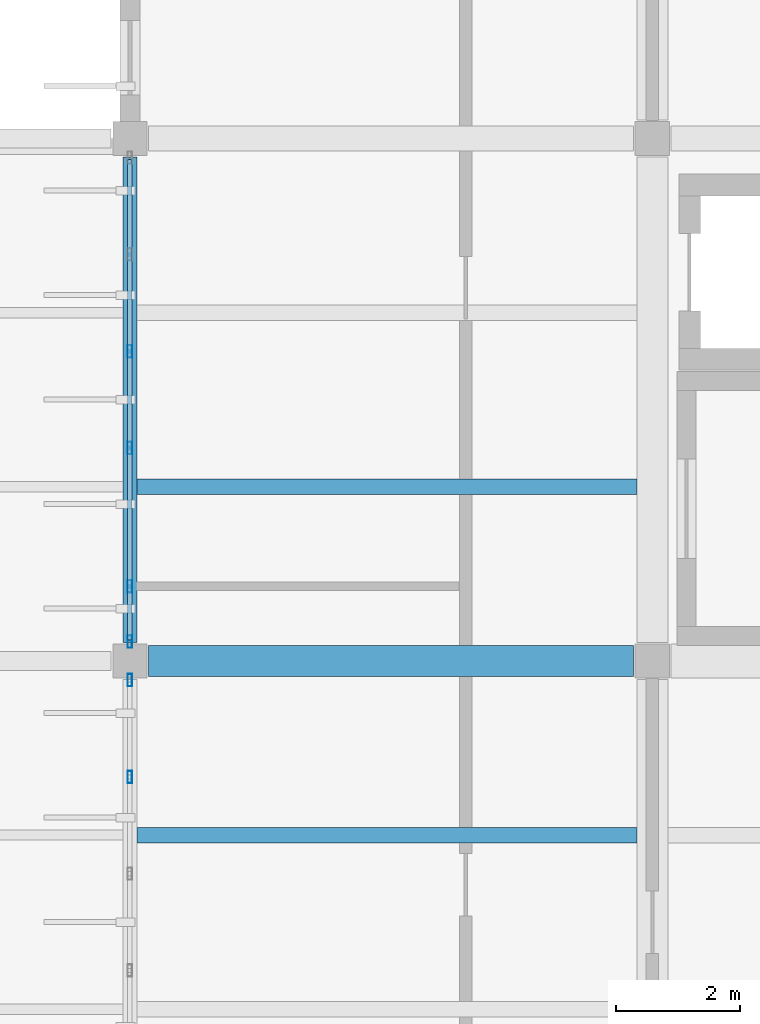
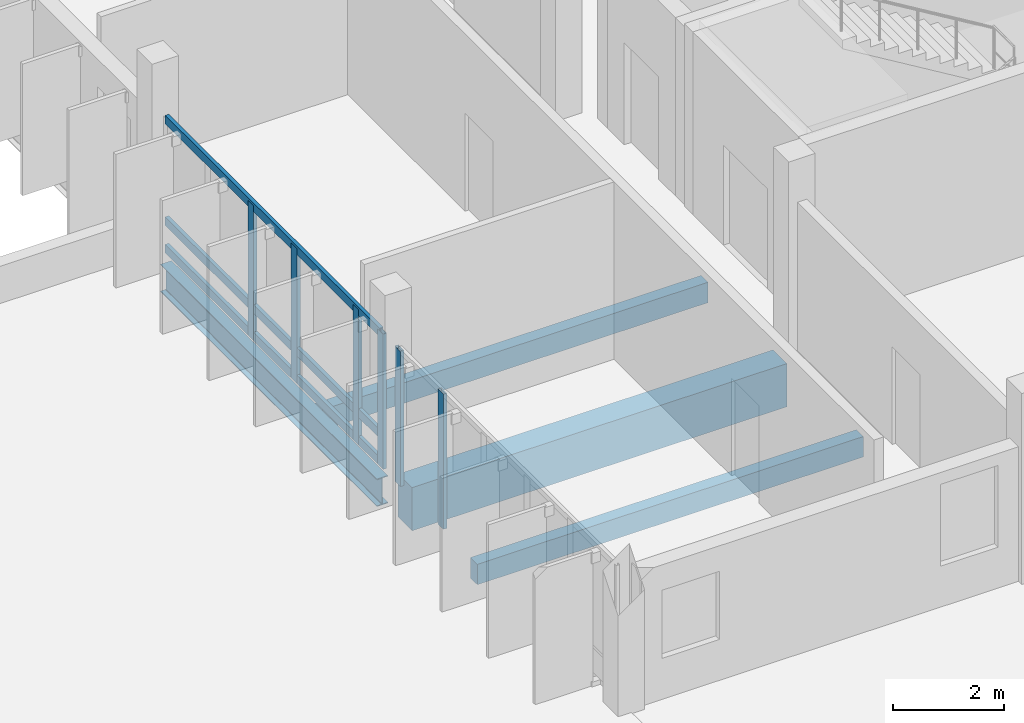
# One storey, part 20 of 130: 9 members, 4 beams, 2 elements without a shape of their own.
"""IFC4 building model written with IfcOpenShell, lengths in metres."""

from ifc_helpers import new_model, si_unit, direction, frame, origin, origin_2d, place, context, subcontext, project, spatial, rectangle, hollow_rectangle, i_section, extrude, material, layer, layer_set, material_profile, profile_set, type_object, element, aggregate, save


model = new_model("IFC4")

# Units and contexts
model_context = context("Model", 3, precision=1e-05, world=origin(), true_north=direction((0.0, 1.0)))
body_context = subcontext(model_context, "Body", "Model", "MODEL_VIEW")
ifc_project = project(units=[si_unit("LENGTHUNIT", "METRE"), si_unit("AREAUNIT", "SQUARE_METRE"), si_unit("VOLUMEUNIT", "CUBIC_METRE"), si_unit("PLANEANGLEUNIT", "RADIAN"), si_unit("MASSUNIT", "GRAM", prefix="KILO")], contexts=[model_context])

# Site, building, storey
site_placement = place(None, origin())
site = spatial("IfcSite", under=ifc_project, at=site_placement, CompositionType="ELEMENT")
building_placement = place(site_placement, origin())
building = spatial("IfcBuilding", under=site, at=building_placement, Name="Vireocrest Preparatory School", CompositionType="ELEMENT")
storey_placement = place(building_placement, frame((0.0, 0.0, 9.0)))
storey = spatial("IfcBuildingStorey", under=building, at=storey_placement, Name="L02", CompositionType="ELEMENT", Elevation=9.0)

# Curtain wall, members
ifc_material_1 = material(Name="Thermally broken aluminium EN AW-6063-T6", Category="aluminium")
ifc_layer = layer(ifc_material_1, 0.179931640625)
ifc_layer_set = layer_set([ifc_layer], Name="Thermally broken aluminium EN AW-6063-T6")
curtain_wall_type = type_object("IfcCurtainWallType", Name="Teaching Fin Curtain Wall 8400x4200", PredefinedType="USERDEFINED", material=ifc_layer_set)
curtain_wall_1_placement = place(storey_placement, origin())
curtain_wall_1 = element("IfcCurtainWall", 1, at=curtain_wall_1_placement, inside=storey, type_object=curtain_wall_type, Name="Curtain Wall CW03 CW_L02_CW03_0420_0356_090", ObjectType="CURTAIN WALL", PredefinedType="USERDEFINED")
ifc_material_profile_1 = material_profile(ifc_material_1, hollow_rectangle(XDim=0.074951171875, YDim=0.199951171875, WallThickness=0.0048828125, at=origin_2d()), Name="ALU 75x200x5")
ifc_profile_set_1 = profile_set([ifc_material_profile_1], Name="Thermally broken aluminium EN AW-6063-T6")
member_type_1 = type_object("IfcMemberType", Name="CW Mullion 75x200x5", PredefinedType="MULLION", material=ifc_profile_set_1)
member_1_placement = place(storey_placement, frame((42.0, 41.93408203125, 0.0), z_axis=(0.0, 0.0, 1.0), x_axis=(1.0, 0.0, 0.0)))
member_1 = element("IfcMember", 2, at=member_1_placement, type_object=member_type_1, Name="CW Mullion ML3 CW_L02_CW03_0420_0356_090-5", PredefinedType="MULLION", context=body_context, shape_type="SweptSolid", body=[
    extrude(hollow_rectangle(XDim=0.074951171875, YDim=0.199951171875, WallThickness=0.0048828125, at=origin_2d()), origin(), (0.0, 0.0, 1.0), 2.97509765625),
])
member_2_placement = place(storey_placement, frame((42.0, 43.489990234375, 0.0), z_axis=(0.0, 0.0, 1.0), x_axis=(1.0, 0.0, 0.0)))
member_2 = element("IfcMember", 3, at=member_2_placement, type_object=member_type_1, Name="CW Mullion ML3 CW_L02_CW03_0420_0356_090-6", PredefinedType="MULLION", context=body_context, shape_type="SweptSolid", body=[
    extrude(hollow_rectangle(XDim=0.074951171875, YDim=0.199951171875, WallThickness=0.0048828125, at=origin_2d()), origin(), (0.0, 0.0, 1.0), 2.97509765625),
])
aggregate(curtain_wall_1, [member_1, member_2])

curtain_wall_2_placement = place(storey_placement, origin())
curtain_wall_2 = element("IfcCurtainWall", 4, at=curtain_wall_2_placement, inside=storey, type_object=curtain_wall_type, Name="Curtain Wall CW03 CW_L02_CW03_0420_0440_090", ObjectType="CURTAIN WALL", PredefinedType="USERDEFINED")
member_3_placement = place(storey_placement, frame((42.0, 44.110107421875, 0.0), z_axis=(0.0, 0.0, 1.0), x_axis=(1.0, 0.0, 0.0)))
member_3 = element("IfcMember", 5, at=member_3_placement, type_object=member_type_1, Name="CW Mullion ML3 CW_L02_CW03_0420_0440_090-1", PredefinedType="MULLION", context=body_context, shape_type="SweptSolid", body=[
    extrude(hollow_rectangle(XDim=0.074951171875, YDim=0.199951171875, WallThickness=0.0048828125, at=origin_2d()), origin(), (0.0, 0.0, 1.0), 2.97509765625),
])
member_4_placement = place(storey_placement, frame((42.0, 45.0, 0.0), z_axis=(0.0, 0.0, 1.0), x_axis=(1.0, 0.0, 0.0)))
member_4 = element("IfcMember", 6, at=member_4_placement, type_object=member_type_1, Name="CW Mullion ML3 CW_L02_CW03_0420_0440_090-2", PredefinedType="MULLION", context=body_context, shape_type="SweptSolid", body=[
    extrude(hollow_rectangle(XDim=0.074951171875, YDim=0.199951171875, WallThickness=0.0048828125, at=origin_2d()), origin(), (0.0, 0.0, 1.0), 2.97509765625),
])
member_5_placement = place(storey_placement, frame((42.0, 47.221923828125, 0.0), z_axis=(0.0, 0.0, 1.0), x_axis=(1.0, 0.0, 0.0)))
member_5 = element("IfcMember", 7, at=member_5_placement, type_object=member_type_1, Name="CW Mullion ML3 CW_L02_CW03_0420_0440_090-3", PredefinedType="MULLION", context=body_context, shape_type="SweptSolid", body=[
    extrude(hollow_rectangle(XDim=0.074951171875, YDim=0.199951171875, WallThickness=0.0048828125, at=origin_2d()), origin(), (0.0, 0.0, 1.0), 2.97509765625),
])
member_6_placement = place(storey_placement, frame((42.0, 48.778076171875, 0.0), z_axis=(0.0, 0.0, 1.0), x_axis=(1.0, 0.0, 0.0)))
member_6 = element("IfcMember", 8, at=member_6_placement, type_object=member_type_1, Name="CW Mullion ML3 CW_L02_CW03_0420_0440_090-4", PredefinedType="MULLION", context=body_context, shape_type="SweptSolid", body=[
    extrude(hollow_rectangle(XDim=0.074951171875, YDim=0.199951171875, WallThickness=0.0048828125, at=origin_2d()), origin(), (0.0, 0.0, 1.0), 2.97509765625),
])
ifc_material_profile_2 = material_profile(ifc_material_1, hollow_rectangle(XDim=0.074951171875, YDim=0.18994140625, WallThickness=0.00390625, at=origin_2d()), Name="ALU 75x190x4")
ifc_profile_set_2 = profile_set([ifc_material_profile_2], Name="Thermally broken aluminium EN AW-6063-T6")
member_type_2 = type_object("IfcMemberType", Name="CW Transom 75x190x4", PredefinedType="USERDEFINED", material=ifc_profile_set_2)
member_7_placement = place(storey_placement, frame((42.0, 44.135009765625, 0.094970703125), z_axis=(0.0, 1.0, 0.0), x_axis=(-1.0, 0.0, 0.0)))
member_7 = element("IfcMember", 9, at=member_7_placement, type_object=member_type_2, Name="CW Transom TR3 CW_L02_CW03_0420_0440_090-1", ObjectType="TRANSOM", PredefinedType="USERDEFINED", context=body_context, shape_type="SweptSolid", body=[
    extrude(hollow_rectangle(XDim=0.074951171875, YDim=0.18994140625, WallThickness=0.00390625, at=origin_2d()), origin(), (0.0, 0.0, 1.0), 7.72998046875),
])
member_8_placement = place(storey_placement, frame((42.0, 44.135009765625, 0.699951171875), z_axis=(0.0, 1.0, 0.0), x_axis=(-1.0, 0.0, 0.0)))
member_8 = element("IfcMember", 10, at=member_8_placement, type_object=member_type_2, Name="CW Transom TR3 CW_L02_CW03_0420_0440_090-2", ObjectType="TRANSOM", PredefinedType="USERDEFINED", context=body_context, shape_type="SweptSolid", body=[
    extrude(hollow_rectangle(XDim=0.074951171875, YDim=0.18994140625, WallThickness=0.00390625, at=origin_2d()), origin(), (0.0, 0.0, 1.0), 7.72998046875),
])
member_9_placement = place(storey_placement, frame((42.0, 44.135009765625, 2.93505859375), z_axis=(0.0, 1.0, 0.0), x_axis=(-1.0, 0.0, 0.0)))
member_9 = element("IfcMember", 11, at=member_9_placement, type_object=member_type_2, Name="CW Transom TR3 CW_L02_CW03_0420_0440_090-3", ObjectType="TRANSOM", PredefinedType="USERDEFINED", context=body_context, shape_type="SweptSolid", body=[
    extrude(hollow_rectangle(XDim=0.074951171875, YDim=0.18994140625, WallThickness=0.00390625, at=origin_2d()), origin(), (0.0, 0.0, 1.0), 7.72998046875),
])
aggregate(curtain_wall_2, [member_3, member_4, member_5, member_6, member_7, member_8, member_9])

# Beams
ifc_material_2 = material(Name="Structural steel ASTM A992 Grade 50", Category="steel")
ifc_material_profile_3 = material_profile(ifc_material_2, i_section(OverallWidth=0.22802734375, OverallDepth=0.60791015625, WebThickness=0.01123046875, FlangeThickness=0.017333984375, FilletRadius=0.01611328125, at=origin_2d()), Name="W24X76")
ifc_profile_set_3 = profile_set([ifc_material_profile_3], Name="Structural steel ASTM A992 Grade 50")
beam_type_1 = type_object("IfcBeamType", Name="Gallery Steel Girder W24X76", PredefinedType="BEAM", material=ifc_profile_set_3)
beam_1_placement = place(storey_placement, frame((42.0, 44.10009765625, -0.5439453125), z_axis=(0.0, 1.0, 0.0), x_axis=(-1.0, 0.0, 0.0)))
element("IfcBeam", 12, at=beam_1_placement, inside=storey, type_object=beam_type_1, Name="Primary Girder SB3 L02-0790", PredefinedType="BEAM", context=body_context, shape_type="SweptSolid", body=[
    extrude(i_section(OverallWidth=0.22802734375, OverallDepth=0.60791015625, WebThickness=0.01123046875, FlangeThickness=0.017333984375, FilletRadius=0.01611328125, at=origin_2d()), origin(), (0.0, 0.0, 1.0), 7.7998046875),
])
ifc_material_3 = material(Name="Concrete 40 MPa", Category="concrete")
ifc_material_profile_4 = material_profile(ifc_material_3, rectangle(XDim=0.5, YDim=0.949951171875, at=origin_2d()), Name="RC 500x950")
ifc_profile_set_4 = profile_set([ifc_material_profile_4], Name="Concrete 40 MPa")
beam_type_2 = type_object("IfcBeamType", Name="RC Basement Ceiling Girder 500x950", PredefinedType="BEAM", material=ifc_profile_set_4)
beam_2_placement = place(storey_placement, frame((42.300048828125, 43.800048828125, -0.715087890625), z_axis=(1.0, 0.0, 0.0), x_axis=(0.0, 1.0, 0.0)))
element("IfcBeam", 13, at=beam_2_placement, inside=storey, type_object=beam_type_2, Name="Primary Girder B16 L02-0716", PredefinedType="BEAM", context=body_context, shape_type="SweptSolid", body=[
    extrude(rectangle(XDim=0.5, YDim=0.949951171875, at=origin_2d()), origin(), (0.0, 0.0, 1.0), 7.800048828125),
])
ifc_material_profile_5 = material_profile(ifc_material_3, rectangle(XDim=0.25, YDim=0.449951171875, at=origin_2d()), Name="RC 250x450")
ifc_profile_set_5 = profile_set([ifc_material_profile_5], Name="Concrete 40 MPa")
beam_type_3 = type_object("IfcBeamType", Name="RC Secondary Floor Joist 250x450", PredefinedType="JOIST", material=ifc_profile_set_5)
for number, where, z_axis, x_axis, name in (
    (14, (42.114013671875, 41.0, -0.465087890625), (1.0, 0.0, 0.0), (0.0, 1.0, 0.0), "Secondary Joist J01 L02-0893"),
    (15, (42.114013671875, 46.60009765625, -0.465087890625), (1.0, 0.0, 0.0), (0.0, 1.0, 0.0), "Secondary Joist J01 L02-0894"),
):
    element("IfcBeam", number, at=place(storey_placement, frame(where, z_axis=z_axis, x_axis=x_axis)), inside=storey, type_object=beam_type_3, Name=name, PredefinedType="JOIST", context=body_context, shape_type="SweptSolid", body=[
        extrude(rectangle(XDim=0.25, YDim=0.449951171875, at=origin_2d()), origin(), (0.0, 0.0, 1.0), 8.035888671875),
    ])

save(model, "model.ifc")
